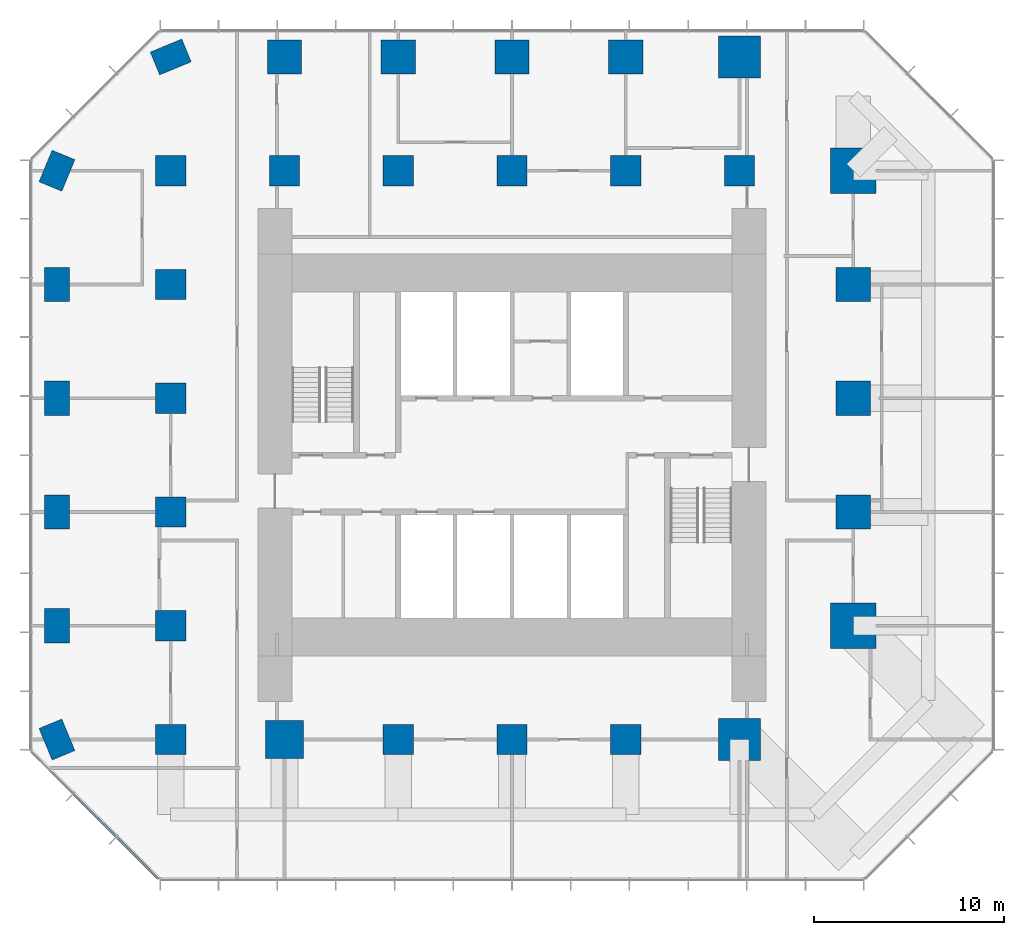
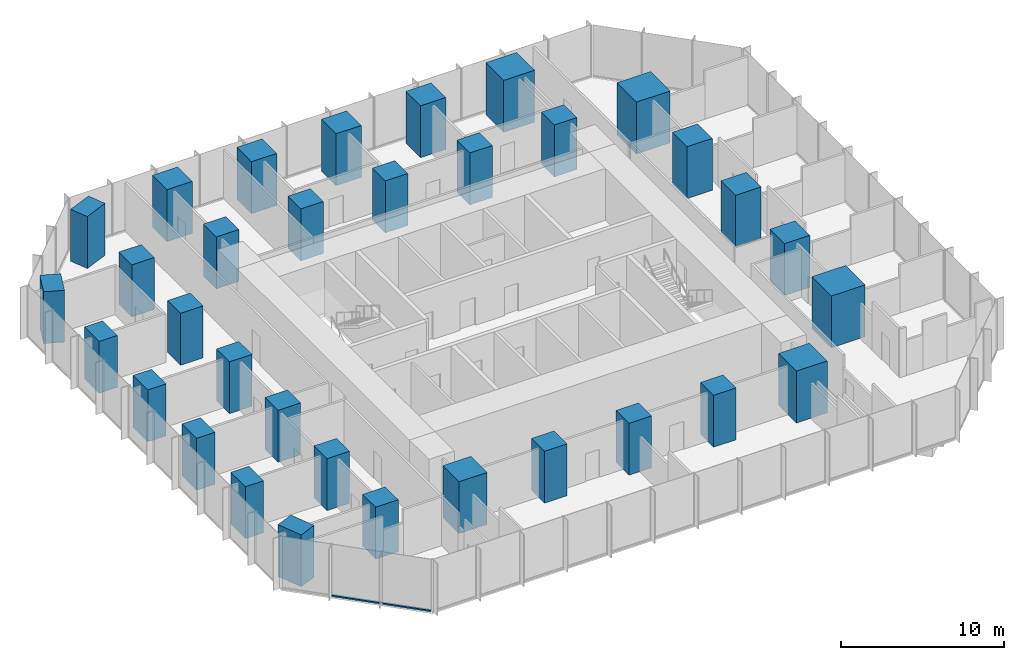
# One storey, part 1 of 12: 33 columns, 2 members, 1 element without a shape of its own.
"""IFC4 building model written with IfcOpenShell, lengths in metres."""

from ifc_helpers import new_model, si_unit, direction, frame, origin, origin_2d, place, context, subcontext, project, spatial, rectangle, extrude, material, layer, layer_set, material_profile, profile_set, type_object, element, aggregate, save


model = new_model("IFC4")

# Units and contexts
model_context = context("Model", 3, precision=1e-05, world=origin(), true_north=direction((0.0, 1.0)))
body_context = subcontext(model_context, "Body", "Model", "MODEL_VIEW")
ifc_project = project(units=[si_unit("LENGTHUNIT", "METRE"), si_unit("AREAUNIT", "SQUARE_METRE"), si_unit("VOLUMEUNIT", "CUBIC_METRE"), si_unit("PLANEANGLEUNIT", "RADIAN"), si_unit("MASSUNIT", "GRAM", prefix="KILO")], contexts=[model_context])

# Site, building, storey
site_placement = place(None, origin())
site = spatial("IfcSite", under=ifc_project, at=site_placement, CompositionType="ELEMENT")
building_placement = place(site_placement, origin())
building = spatial("IfcBuilding", under=site, at=building_placement, Name="Highveld Stack Headquarters", CompositionType="ELEMENT")
storey_placement = place(building_placement, frame((0.0, 0.0, 156.199951171875)))
storey = spatial("IfcBuildingStorey", under=building, at=storey_placement, Name="L38", CompositionType="ELEMENT", Elevation=156.199951171875)

# Columns
ifc_material_1 = material(Name="Concrete C60/75", Category="concrete")
ifc_material_profile_1 = material_profile(ifc_material_1, rectangle(XDim=1.60009765625, YDim=1.60009765625, at=origin_2d()), Name="RC 1600x1600")
ifc_profile_set_1 = profile_set([ifc_material_profile_1], Name="Concrete C60/75")
column_type_1 = type_object("IfcColumnType", Name="COLUMN RC 1600x1600 C60/75", PredefinedType="COLUMN", material=ifc_profile_set_1)
for number, where, z_axis, x_axis, name in (
    (1, (-12.0, -12.0, 0.0), (0.0, 0.0, 1.0), (1.0, 0.0, 0.0), "Column 4/C L38"),
    (2, (-12.0, -6.0, 0.0), (0.0, 0.0, 1.0), (1.0, 0.0, 0.0), "Column 4/D L38"),
    (3, (-12.0, 0.0, 0.0), (0.0, 0.0, 1.0), (1.0, 0.0, 0.0), "Column 4/E L38"),
    (4, (-12.0, 6.0, 0.0), (0.0, 0.0, 1.0), (1.0, 0.0, 0.0), "Column 4/F L38"),
    (5, (-12.0, 12.0, 0.0), (0.0, 0.0, 1.0), (1.0, 0.0, 0.0), "Column 4/G L38"),
    (6, (-12.0, 18.0, 0.0), (0.0, 0.0, 1.0), (1.0, 0.0, 0.0), "Column 4/H L38"),
    (7, (-6.0, 18.0, 0.0), (0.0, 0.0, 1.0), (1.0, 0.0, 0.0), "Column 5/H L38"),
    (8, (0.0, -12.0, 0.0), (0.0, 0.0, 1.0), (1.0, 0.0, 0.0), "Column 6/C L38"),
    (9, (0.0, 18.0, 0.0), (0.0, 0.0, 1.0), (1.0, 0.0, 0.0), "Column 6/H L38"),
    (10, (6.0, -12.0, 0.0), (0.0, 0.0, 1.0), (1.0, 0.0, 0.0), "Column 7/C L38"),
    (11, (6.0, 18.0, 0.0), (0.0, 0.0, 1.0), (1.0, 0.0, 0.0), "Column 7/H L38"),
    (12, (12.0, -12.0, 0.0), (0.0, 0.0, 1.0), (1.0, 0.0, 0.0), "Column 8/C L38"),
    (13, (12.0, 18.0, 0.0), (0.0, 0.0, 1.0), (1.0, 0.0, 0.0), "Column 8/H L38"),
    (14, (18.0, 18.0, 0.0), (0.0, 0.0, 1.0), (1.0, 0.0, 0.0), "Column 9/H L38"),
):
    element("IfcColumn", number, at=place(storey_placement, frame(where, z_axis=z_axis, x_axis=x_axis)), inside=storey, type_object=column_type_1, Name=name, PredefinedType="COLUMN", context=body_context, shape_type="SweptSolid", body=[
        extrude(rectangle(XDim=1.60009765625, YDim=1.60009765625, at=origin_2d()), origin(), (0.0, 0.0, 1.0), 3.900146484375),
    ])
ifc_material_2 = material(Name="Concrete C60/75", Category="concrete")
ifc_material_profile_2 = material_profile(ifc_material_2, rectangle(XDim=1.800048828125, YDim=1.300048828125, at=origin_2d()), Name="RC 1800x1300")
ifc_profile_set_2 = profile_set([ifc_material_profile_2], Name="Concrete C60/75")
column_type_2 = type_object("IfcColumnType", Name="COLUMN RC 1800x1300 C60/75", PredefinedType="COLUMN", material=ifc_profile_set_2)
for number, where, z_axis, x_axis, name in (
    (15, (-18.0, -12.0, 0.0), (0.0, 0.0, 1.0), (-0.382683432365, 0.923879532511, 0.0), "Column 3/C L38"),
    (16, (-18.0, -6.0, 0.0), (0.0, 0.0, 1.0), (0.0, 1.0, 0.0), "Column 3/D L38"),
    (17, (-18.0, 0.0, 0.0), (0.0, 0.0, 1.0), (0.0, 1.0, 0.0), "Column 3/E L38"),
    (18, (-18.0, 6.0, 0.0), (0.0, 0.0, 1.0), (0.0, 1.0, 0.0), "Column 3/F L38"),
    (19, (-18.0, 12.0, 0.0), (0.0, 0.0, 1.0), (0.0, 1.0, 0.0), "Column 3/G L38"),
    (20, (-18.0, 18.0, 0.0), (0.0, 0.0, 1.0), (0.382683432365, 0.923879532511, 0.0), "Column 3/H L38"),
    (21, (-12.0, 24.0, 0.0), (0.0, 0.0, 1.0), (0.923879532511, 0.382683432365, 0.0), "Column 4/J L38"),
):
    element("IfcColumn", number, at=place(storey_placement, frame(where, z_axis=z_axis, x_axis=x_axis)), inside=storey, type_object=column_type_2, Name=name, PredefinedType="COLUMN", context=body_context, shape_type="SweptSolid", body=[
        extrude(rectangle(XDim=1.800048828125, YDim=1.300048828125, at=origin_2d()), origin(), (0.0, 0.0, 1.0), 3.900146484375),
    ])
ifc_material_3 = material(Name="Concrete C60/75", Category="concrete")
ifc_material_profile_3 = material_profile(ifc_material_3, rectangle(XDim=1.800048828125, YDim=1.800048828125, at=origin_2d()), Name="RC 1800x1800")
ifc_profile_set_3 = profile_set([ifc_material_profile_3], Name="Concrete C60/75")
column_type_3 = type_object("IfcColumnType", Name="COLUMN RC 1800x1800 C60/75", PredefinedType="COLUMN", material=ifc_profile_set_3)
for number, where, z_axis, x_axis, name in (
    (22, (-6.0, 24.0, 0.0), (0.0, 0.0, 1.0), (1.0, 0.0, 0.0), "Column 5/J L38"),
    (23, (0.0, 24.0, 0.0), (0.0, 0.0, 1.0), (1.0, 0.0, 0.0), "Column 6/J L38"),
    (24, (6.0, 24.0, 0.0), (0.0, 0.0, 1.0), (1.0, 0.0, 0.0), "Column 7/J L38"),
    (25, (12.0, 24.0, 0.0), (0.0, 0.0, 1.0), (1.0, 0.0, 0.0), "Column 8/J L38"),
    (26, (24.0, 0.0, 0.0), (0.0, 0.0, 1.0), (1.0, 0.0, 0.0), "Column 10/E L38"),
    (27, (24.0, 6.0, 0.0), (0.0, 0.0, 1.0), (1.0, 0.0, 0.0), "Column 10/F L38"),
    (28, (24.0, 12.0, 0.0), (0.0, 0.0, 1.0), (1.0, 0.0, 0.0), "Column 10/G L38"),
):
    element("IfcColumn", number, at=place(storey_placement, frame(where, z_axis=z_axis, x_axis=x_axis)), inside=storey, type_object=column_type_3, Name=name, PredefinedType="COLUMN", context=body_context, shape_type="SweptSolid", body=[
        extrude(rectangle(XDim=1.800048828125, YDim=1.800048828125, at=origin_2d()), origin(), (0.0, 0.0, 1.0), 3.900146484375),
    ])
ifc_material_4 = material(Name="Concrete C60/75", Category="concrete")
ifc_material_profile_4 = material_profile(ifc_material_4, rectangle(XDim=2.0, YDim=2.0, at=origin_2d()), Name="RC 2000x2000")
ifc_profile_set_4 = profile_set([ifc_material_profile_4], Name="Concrete C60/75")
column_type_4 = type_object("IfcColumnType", Name="COLUMN RC 2000x2000 C60/75", PredefinedType="COLUMN", material=ifc_profile_set_4)
column_placement = place(storey_placement, frame((-6.0, -12.0, 0.0), z_axis=(0.0, 0.0, 1.0), x_axis=(1.0, 0.0, 0.0)))
element("IfcColumn", 29, at=column_placement, inside=storey, type_object=column_type_4, Name="Column 5/C L38", PredefinedType="COLUMN", context=body_context, shape_type="SweptSolid", body=[
    extrude(rectangle(XDim=2.0, YDim=2.0, at=origin_2d()), origin(), (0.0, 0.0, 1.0), 3.900146484375),
])
ifc_material_5 = material(Name="Concrete C60/75", Category="concrete")
ifc_material_profile_5 = material_profile(ifc_material_5, rectangle(XDim=2.199951171875, YDim=2.199951171875, at=origin_2d()), Name="RC 2200x2200")
ifc_profile_set_5 = profile_set([ifc_material_profile_5], Name="Concrete C60/75")
column_type_5 = type_object("IfcColumnType", Name="COLUMN RC 2200x2200 C60/75", PredefinedType="COLUMN", material=ifc_profile_set_5)
for number, where, z_axis, x_axis, name in (
    (30, (18.0, -12.0, 0.0), (0.0, 0.0, 1.0), (1.0, 0.0, 0.0), "Column 9/C L38"),
    (31, (18.0, 24.0, 0.0), (0.0, 0.0, 1.0), (1.0, 0.0, 0.0), "Column 9/J L38"),
):
    element("IfcColumn", number, at=place(storey_placement, frame(where, z_axis=z_axis, x_axis=x_axis)), inside=storey, type_object=column_type_5, Name=name, PredefinedType="COLUMN", context=body_context, shape_type="SweptSolid", body=[
        extrude(rectangle(XDim=2.199951171875, YDim=2.199951171875, at=origin_2d()), origin(), (0.0, 0.0, 1.0), 3.900146484375),
    ])
ifc_material_6 = material(Name="Concrete C60/75", Category="concrete")
ifc_material_profile_6 = material_profile(ifc_material_6, rectangle(XDim=2.39990234375, YDim=2.39990234375, at=origin_2d()), Name="RC 2400x2400")
ifc_profile_set_6 = profile_set([ifc_material_profile_6], Name="Concrete C60/75")
column_type_6 = type_object("IfcColumnType", Name="COLUMN RC 2400x2400 C60/75", PredefinedType="COLUMN", material=ifc_profile_set_6)
for number, where, z_axis, x_axis, name in (
    (32, (24.0, -6.0, 0.0), (0.0, 0.0, 1.0), (1.0, 0.0, 0.0), "Column 10/D L38"),
    (33, (24.0, 18.0, 0.0), (0.0, 0.0, 1.0), (1.0, 0.0, 0.0), "Column 10/H L38"),
):
    element("IfcColumn", number, at=place(storey_placement, frame(where, z_axis=z_axis, x_axis=x_axis)), inside=storey, type_object=column_type_6, Name=name, PredefinedType="COLUMN", context=body_context, shape_type="SweptSolid", body=[
        extrude(rectangle(XDim=2.39990234375, YDim=2.39990234375, at=origin_2d()), origin(), (0.0, 0.0, 1.0), 3.900146484375),
    ])

# Curtain wall, members
ifc_material_7 = material(Name="Aluminium bronze anodised", Category="aluminium")
ifc_layer = layer(ifc_material_7, 0.199951171875)
ifc_layer_set = layer_set([ifc_layer], Name="Aluminium bronze anodised")
curtain_wall_type = type_object("IfcCurtainWallType", Name="CW2 TOWER CHAMFER UNITISED CURTAIN WALL", PredefinedType="NOTDEFINED", material=ifc_layer_set)
curtain_wall_placement = place(storey_placement, origin())
curtain_wall = element("IfcCurtainWall", 34, at=curtain_wall_placement, inside=storey, type_object=curtain_wall_type, Name="Curtain wall CW2 L38 SW", PredefinedType="NOTDEFINED")
ifc_material_8 = material(Name="Aluminium bronze anodised", Category="aluminium")
ifc_material_profile_7 = material_profile(ifc_material_8, rectangle(XDim=0.14990234375, YDim=0.10009765625, at=origin_2d()), Name="CW2 TRANSOM 150x100")
ifc_profile_set_7 = profile_set([ifc_material_profile_7], Name="Aluminium bronze anodised")
member_type = type_object("IfcMemberType", Name="CW2 STACK TRANSOM 150x100", PredefinedType="USERDEFINED", material=ifc_profile_set_7)
member_1_placement = place(storey_placement, frame((-17.103759765625, -14.876220703125, 0.050048828125), z_axis=(0.707106781187, -0.707106781187, 0.0), x_axis=(0.707106781187, 0.707106781187, 0.0)))
member_1 = element("IfcMember", 35, at=member_1_placement, type_object=member_type, Name="CW2 transom L38 2.1", ObjectType="TRANSOM", PredefinedType="USERDEFINED", context=body_context, shape_type="SweptSolid", body=[
    extrude(rectangle(XDim=0.14990234375, YDim=0.10009765625, at=origin_2d()), origin(), (0.0, 0.0, 1.0), 3.150146484375),
])
member_2_placement = place(storey_placement, frame((-14.830322265625, -17.149658203125, 0.050048828125), z_axis=(0.707106781187, -0.707106781187, 0.0), x_axis=(0.707106781187, 0.707106781187, 0.0)))
member_2 = element("IfcMember", 36, at=member_2_placement, type_object=member_type, Name="CW2 transom L38 3.1", ObjectType="TRANSOM", PredefinedType="USERDEFINED", context=body_context, shape_type="SweptSolid", body=[
    extrude(rectangle(XDim=0.14990234375, YDim=0.10009765625, at=origin_2d()), origin(), (0.0, 0.0, 1.0), 3.08251953125),
])
aggregate(curtain_wall, [member_1, member_2])

save(model, "model.ifc")
